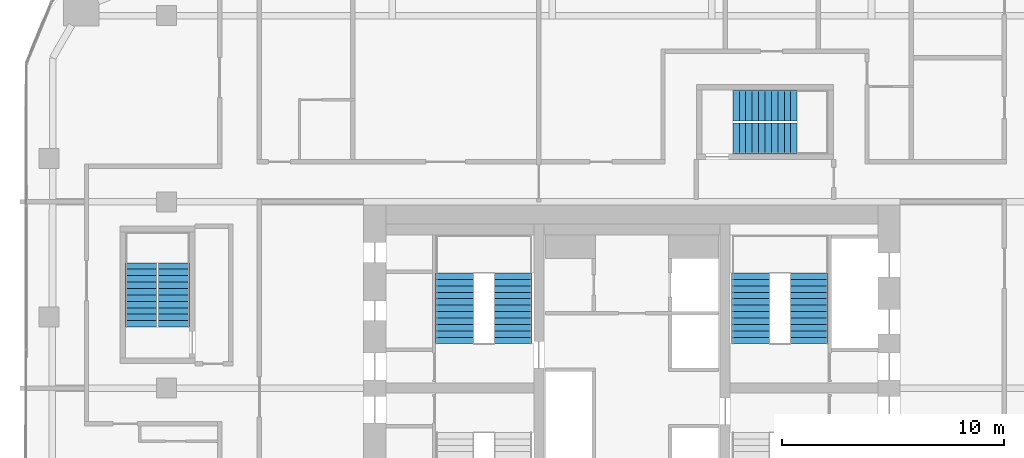
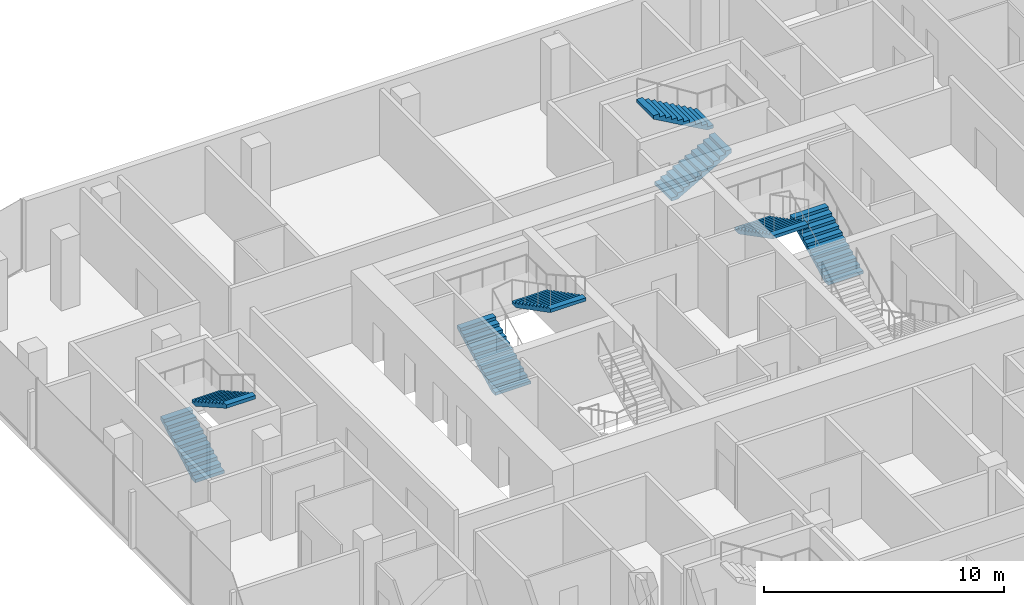
# One storey, part 21 of 23: 8 stair flights, 4 elements without a shape of their own.
"""IFC4 building model written with IfcOpenShell, lengths in metres."""

from ifc_helpers import new_model, si_unit, direction, frame, origin, place, context, subcontext, project, spatial, polyline, outline, extrude, material, type_object, element, aggregate, save


model = new_model("IFC4")

# Units and contexts
model_context = context("Model", 3, precision=1e-05, world=origin(), true_north=direction((0.0, 1.0)))
body_context = subcontext(model_context, "Body", "Model", "MODEL_VIEW")
ifc_project = project(units=[si_unit("LENGTHUNIT", "METRE"), si_unit("AREAUNIT", "SQUARE_METRE"), si_unit("VOLUMEUNIT", "CUBIC_METRE"), si_unit("PLANEANGLEUNIT", "RADIAN"), si_unit("MASSUNIT", "GRAM", prefix="KILO")], contexts=[model_context])

# Site, building, storey
site_placement = place(None, origin())
site = spatial("IfcSite", under=ifc_project, at=site_placement, CompositionType="ELEMENT")
building_placement = place(site_placement, origin())
building = spatial("IfcBuilding", under=site, at=building_placement, Name="Marenta Gate Hotel Tower", CompositionType="ELEMENT")
storey_placement = place(building_placement, frame((0.0, 0.0, 148.10009765625)))
storey = spatial("IfcBuildingStorey", under=building, at=storey_placement, Name="L34", CompositionType="ELEMENT", Elevation=148.10009765625)

# Stair, stair flights
ifc_material_1 = material(Name="Concrete C40", Category="concrete")
stair_type_1 = type_object("IfcStairType", Name="Core exit stair 1700 wide", PredefinedType="HALF_TURN_STAIR", material=ifc_material_1)
stair_1_placement = place(storey_placement, origin())
stair_1 = element("IfcStair", 1, at=stair_1_placement, inside=storey, type_object=stair_type_1, Name="Exit stair 2", PredefinedType="HALF_TURN_STAIR")
ifc_material_2 = material(Name="Concrete C40", Category="concrete")
stair_flight_type_1 = type_object("IfcStairFlightType", Name="Core stair flight 1700 riser 150.0 going 290", PredefinedType="STRAIGHT", material=ifc_material_2)
stair_flight_1_placement = place(storey_placement, frame((-8.0, 10.39990234375, 0.0), z_axis=(0.0, 0.0, 1.0), x_axis=(0.0, 1.0, 0.0)))
stair_flight_1 = element("IfcStairFlight", 2, at=stair_flight_1_placement, type_object=stair_flight_type_1, Name="ST2 flight 1", NumberOfRisers=12, NumberOfTreads=11, PredefinedType="STRAIGHT", RiserHeight=0.15, TreadLength=0.29, context=body_context, shape_type="SweptSolid", body=[
    extrude(outline(polyline([(0.0, 0.0), (0.0, 0.14990234375), (0.2900390625, 0.14990234375), (0.2900390625, 0.300048828125), (0.580078125, 0.300048828125), (0.580078125, 0.449951171875), (0.8701171875, 0.449951171875), (0.8701171875, 0.60009765625), (1.159912109375, 0.60009765625), (1.159912109375, 0.75), (1.449951171875, 0.75), (1.449951171875, 0.89990234375), (1.739990234375, 0.89990234375), (1.739990234375, 1.050048828125), (2.030029296875, 1.050048828125), (2.030029296875, 1.199951171875), (2.320068359375, 1.199951171875), (2.320068359375, 1.35009765625), (2.610107421875, 1.35009765625), (2.610107421875, 1.5), (2.89990234375, 1.5), (2.89990234375, 1.64990234375), (3.18994140625, 1.64990234375), (3.18994140625, 1.800048828125), (3.18994140625, 1.481201171875), (0.326171875, 0.0), (0.0, 0.0)])), frame((0.0, 0.85009765625, 0.0), z_axis=(0.0, -1.0, 0.0), x_axis=(1.0, 0.0, 0.0)), (0.0, 0.0, 1.0), 1.699951171875),
])
stair_flight_2_placement = place(storey_placement, frame((-5.35009765625, 13.590087890625, 1.7998046875), z_axis=(0.0, 0.0, 1.0), x_axis=(0.0, -1.0, 0.0)))
stair_flight_2 = element("IfcStairFlight", 3, at=stair_flight_2_placement, type_object=stair_flight_type_1, Name="ST2 flight 2", NumberOfRisers=12, NumberOfTreads=11, PredefinedType="STRAIGHT", RiserHeight=0.15, TreadLength=0.29, context=body_context, shape_type="SweptSolid", body=[
    extrude(outline(polyline([(0.0, 0.0), (0.0, 0.14990234375), (0.2900390625, 0.14990234375), (0.2900390625, 0.300048828125), (0.580078125, 0.300048828125), (0.580078125, 0.449951171875), (0.8701171875, 0.449951171875), (0.8701171875, 0.60009765625), (1.159912109375, 0.60009765625), (1.159912109375, 0.75), (1.449951171875, 0.75), (1.449951171875, 0.89990234375), (1.739990234375, 0.89990234375), (1.739990234375, 1.050048828125), (2.030029296875, 1.050048828125), (2.030029296875, 1.199951171875), (2.320068359375, 1.199951171875), (2.320068359375, 1.35009765625), (2.610107421875, 1.35009765625), (2.610107421875, 1.5), (2.89990234375, 1.5), (2.89990234375, 1.64990234375), (3.18994140625, 1.64990234375), (3.18994140625, 1.800048828125), (3.18994140625, 1.481201171875), (0.326171875, 0.0), (0.0, 0.0)])), frame((0.0, 0.85009765625, 0.0), z_axis=(0.0, -1.0, 0.0), x_axis=(1.0, 0.0, 0.0)), (0.0, 0.0, 1.0), 1.699951171875),
])
aggregate(stair_1, [stair_flight_1, stair_flight_2])

stair_2_placement = place(storey_placement, origin())
stair_2 = element("IfcStair", 4, at=stair_2_placement, inside=storey, type_object=stair_type_1, Name="Exit stair 4", PredefinedType="HALF_TURN_STAIR")
stair_flight_3_placement = place(storey_placement, frame((8.0, 10.39990234375, 0.0), z_axis=(0.0, 0.0, 1.0), x_axis=(0.0, 1.0, 0.0)))
stair_flight_3 = element("IfcStairFlight", 5, at=stair_flight_3_placement, type_object=stair_flight_type_1, Name="ST4 flight 1", NumberOfRisers=12, NumberOfTreads=11, PredefinedType="STRAIGHT", RiserHeight=0.15, TreadLength=0.29, context=body_context, shape_type="SweptSolid", body=[
    extrude(outline(polyline([(0.0, 0.0), (0.0, 0.14990234375), (0.2900390625, 0.14990234375), (0.2900390625, 0.300048828125), (0.580078125, 0.300048828125), (0.580078125, 0.449951171875), (0.8701171875, 0.449951171875), (0.8701171875, 0.60009765625), (1.159912109375, 0.60009765625), (1.159912109375, 0.75), (1.449951171875, 0.75), (1.449951171875, 0.89990234375), (1.739990234375, 0.89990234375), (1.739990234375, 1.050048828125), (2.030029296875, 1.050048828125), (2.030029296875, 1.199951171875), (2.320068359375, 1.199951171875), (2.320068359375, 1.35009765625), (2.610107421875, 1.35009765625), (2.610107421875, 1.5), (2.89990234375, 1.5), (2.89990234375, 1.64990234375), (3.18994140625, 1.64990234375), (3.18994140625, 1.800048828125), (3.18994140625, 1.481201171875), (0.326171875, 0.0), (0.0, 0.0)])), frame((0.0, 0.85009765625, 0.0), z_axis=(0.0, -1.0, 0.0), x_axis=(1.0, 0.0, 0.0)), (0.0, 0.0, 1.0), 1.699951171875),
])
stair_flight_4_placement = place(storey_placement, frame((5.35009765625, 13.590087890625, 1.7998046875), z_axis=(0.0, 0.0, 1.0), x_axis=(0.0, -1.0, 0.0)))
stair_flight_4 = element("IfcStairFlight", 6, at=stair_flight_4_placement, type_object=stair_flight_type_1, Name="ST4 flight 2", NumberOfRisers=12, NumberOfTreads=11, PredefinedType="STRAIGHT", RiserHeight=0.15, TreadLength=0.29, context=body_context, shape_type="SweptSolid", body=[
    extrude(outline(polyline([(0.0, 0.0), (0.0, 0.14990234375), (0.2900390625, 0.14990234375), (0.2900390625, 0.300048828125), (0.580078125, 0.300048828125), (0.580078125, 0.449951171875), (0.8701171875, 0.449951171875), (0.8701171875, 0.60009765625), (1.159912109375, 0.60009765625), (1.159912109375, 0.75), (1.449951171875, 0.75), (1.449951171875, 0.89990234375), (1.739990234375, 0.89990234375), (1.739990234375, 1.050048828125), (2.030029296875, 1.050048828125), (2.030029296875, 1.199951171875), (2.320068359375, 1.199951171875), (2.320068359375, 1.35009765625), (2.610107421875, 1.35009765625), (2.610107421875, 1.5), (2.89990234375, 1.5), (2.89990234375, 1.64990234375), (3.18994140625, 1.64990234375), (3.18994140625, 1.800048828125), (3.18994140625, 1.481201171875), (0.326171875, 0.0), (0.0, 0.0)])), frame((0.0, 0.85009765625, 0.0), z_axis=(0.0, -1.0, 0.0), x_axis=(1.0, 0.0, 0.0)), (0.0, 0.0, 1.0), 1.699951171875),
])
aggregate(stair_2, [stair_flight_3, stair_flight_4])

ifc_material_3 = material(Name="Concrete C40", Category="concrete")
stair_type_2 = type_object("IfcStairType", Name="Remote exit stair 1400 wide", PredefinedType="HALF_TURN_STAIR", material=ifc_material_3)
stair_3_placement = place(storey_placement, origin())
stair_3 = element("IfcStair", 7, at=stair_3_placement, inside=storey, type_object=stair_type_2, Name="Exit stair RS-Z1-3", PredefinedType="HALF_TURN_STAIR")
ifc_material_4 = material(Name="Concrete C40", Category="concrete")
stair_flight_type_2 = type_object("IfcStairFlightType", Name="Remote stair flight 1400 riser 163.6 going 290", PredefinedType="STRAIGHT", material=ifc_material_4)
stair_flight_5_placement = place(storey_placement, frame((-22.14990234375, 11.14990234375, 0.0), z_axis=(0.0, 0.0, 1.0), x_axis=(0.0, 1.0, 0.0)))
stair_flight_5 = element("IfcStairFlight", 8, at=stair_flight_5_placement, type_object=stair_flight_type_2, Name="RS-Z1-3 flight 1", NumberOfRisers=11, NumberOfTreads=10, PredefinedType="STRAIGHT", RiserHeight=0.163636, TreadLength=0.29, context=body_context, shape_type="SweptSolid", body=[
    extrude(outline(polyline([(0.0, 0.0), (0.0, 0.16357421875), (0.2900390625, 0.16357421875), (0.2900390625, 0.327392578125), (0.580078125, 0.327392578125), (0.580078125, 0.490966796875), (0.8701171875, 0.490966796875), (0.8701171875, 0.654541015625), (1.159912109375, 0.654541015625), (1.159912109375, 0.818115234375), (1.449951171875, 0.818115234375), (1.449951171875, 0.98193359375), (1.739990234375, 0.98193359375), (1.739990234375, 1.1455078125), (2.030029296875, 1.1455078125), (2.030029296875, 1.30908203125), (2.320068359375, 1.30908203125), (2.320068359375, 1.47265625), (2.610107421875, 1.47265625), (2.610107421875, 1.636474609375), (2.89990234375, 1.636474609375), (2.89990234375, 1.800048828125), (2.89990234375, 1.46435546875), (0.304931640625, 0.0), (0.0, 0.0)])), frame((0.0, 0.699951171875, 0.0), z_axis=(0.0, -1.0, 0.0), x_axis=(1.0, 0.0, 0.0)), (0.0, 0.0, 1.0), 1.39990234375),
])
stair_flight_6_placement = place(storey_placement, frame((-20.64990234375, 14.050048828125, 1.7998046875), z_axis=(0.0, 0.0, 1.0), x_axis=(0.0, -1.0, 0.0)))
stair_flight_6 = element("IfcStairFlight", 9, at=stair_flight_6_placement, type_object=stair_flight_type_2, Name="RS-Z1-3 flight 2", NumberOfRisers=11, NumberOfTreads=10, PredefinedType="STRAIGHT", RiserHeight=0.163636, TreadLength=0.29, context=body_context, shape_type="SweptSolid", body=[
    extrude(outline(polyline([(0.0, 0.0), (0.0, 0.16357421875), (0.2900390625, 0.16357421875), (0.2900390625, 0.327392578125), (0.580078125, 0.327392578125), (0.580078125, 0.490966796875), (0.8701171875, 0.490966796875), (0.8701171875, 0.654541015625), (1.159912109375, 0.654541015625), (1.159912109375, 0.818115234375), (1.449951171875, 0.818115234375), (1.449951171875, 0.98193359375), (1.739990234375, 0.98193359375), (1.739990234375, 1.1455078125), (2.030029296875, 1.1455078125), (2.030029296875, 1.30908203125), (2.320068359375, 1.30908203125), (2.320068359375, 1.47265625), (2.610107421875, 1.47265625), (2.610107421875, 1.636474609375), (2.89990234375, 1.636474609375), (2.89990234375, 1.800048828125), (2.89990234375, 1.46435546875), (0.304931640625, 0.0), (0.0, 0.0)])), frame((0.0, 0.699951171875, 0.0), z_axis=(0.0, -1.0, 0.0), x_axis=(1.0, 0.0, 0.0)), (0.0, 0.0, 1.0), 1.39990234375),
])
aggregate(stair_3, [stair_flight_5, stair_flight_6])

stair_4_placement = place(storey_placement, origin())
stair_4 = element("IfcStair", 10, at=stair_4_placement, inside=storey, type_object=stair_type_2, Name="Exit stair RS-Z2-4", PredefinedType="HALF_TURN_STAIR")
stair_flight_7_placement = place(storey_placement, frame((4.550048828125, 19.64990234375, 0.0), z_axis=(0.0, 0.0, 1.0), x_axis=(1.0, 0.0, 0.0)))
stair_flight_7 = element("IfcStairFlight", 11, at=stair_flight_7_placement, type_object=stair_flight_type_2, Name="RS-Z2-4 flight 1", NumberOfRisers=11, NumberOfTreads=10, PredefinedType="STRAIGHT", RiserHeight=0.163636, TreadLength=0.29, context=body_context, shape_type="SweptSolid", body=[
    extrude(outline(polyline([(0.0, 0.0), (0.0, 0.16357421875), (0.2900390625, 0.16357421875), (0.2900390625, 0.327392578125), (0.580078125, 0.327392578125), (0.580078125, 0.490966796875), (0.8701171875, 0.490966796875), (0.8701171875, 0.654541015625), (1.159912109375, 0.654541015625), (1.159912109375, 0.818115234375), (1.449951171875, 0.818115234375), (1.449951171875, 0.98193359375), (1.739990234375, 0.98193359375), (1.739990234375, 1.1455078125), (2.030029296875, 1.1455078125), (2.030029296875, 1.30908203125), (2.320068359375, 1.30908203125), (2.320068359375, 1.47265625), (2.610107421875, 1.47265625), (2.610107421875, 1.636474609375), (2.89990234375, 1.636474609375), (2.89990234375, 1.800048828125), (2.89990234375, 1.46435546875), (0.304931640625, 0.0), (0.0, 0.0)])), frame((0.0, 0.699951171875, 0.0), z_axis=(0.0, -1.0, 0.0), x_axis=(1.0, 0.0, 0.0)), (0.0, 0.0, 1.0), 1.39990234375),
])
stair_flight_8_placement = place(storey_placement, frame((7.449951171875, 21.14990234375, 1.7998046875), z_axis=(0.0, 0.0, 1.0), x_axis=(-1.0, 0.0, 0.0)))
stair_flight_8 = element("IfcStairFlight", 12, at=stair_flight_8_placement, type_object=stair_flight_type_2, Name="RS-Z2-4 flight 2", NumberOfRisers=11, NumberOfTreads=10, PredefinedType="STRAIGHT", RiserHeight=0.163636, TreadLength=0.29, context=body_context, shape_type="SweptSolid", body=[
    extrude(outline(polyline([(0.0, 0.0), (0.0, 0.16357421875), (0.2900390625, 0.16357421875), (0.2900390625, 0.327392578125), (0.580078125, 0.327392578125), (0.580078125, 0.490966796875), (0.8701171875, 0.490966796875), (0.8701171875, 0.654541015625), (1.159912109375, 0.654541015625), (1.159912109375, 0.818115234375), (1.449951171875, 0.818115234375), (1.449951171875, 0.98193359375), (1.739990234375, 0.98193359375), (1.739990234375, 1.1455078125), (2.030029296875, 1.1455078125), (2.030029296875, 1.30908203125), (2.320068359375, 1.30908203125), (2.320068359375, 1.47265625), (2.610107421875, 1.47265625), (2.610107421875, 1.636474609375), (2.89990234375, 1.636474609375), (2.89990234375, 1.800048828125), (2.89990234375, 1.46435546875), (0.304931640625, 0.0), (0.0, 0.0)])), frame((0.0, 0.699951171875, 0.0), z_axis=(0.0, -1.0, 0.0), x_axis=(1.0, 0.0, 0.0)), (0.0, 0.0, 1.0), 1.39990234375),
])
aggregate(stair_4, [stair_flight_7, stair_flight_8])

save(model, "model.ifc")
